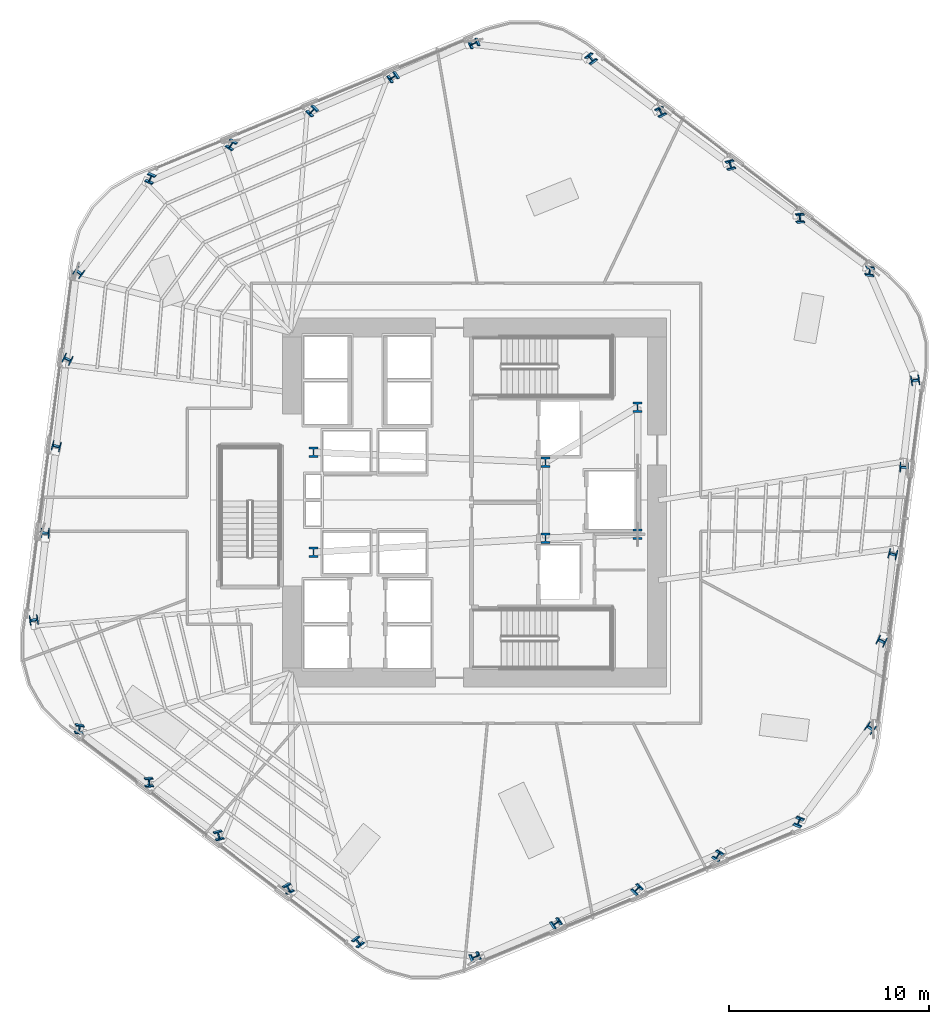
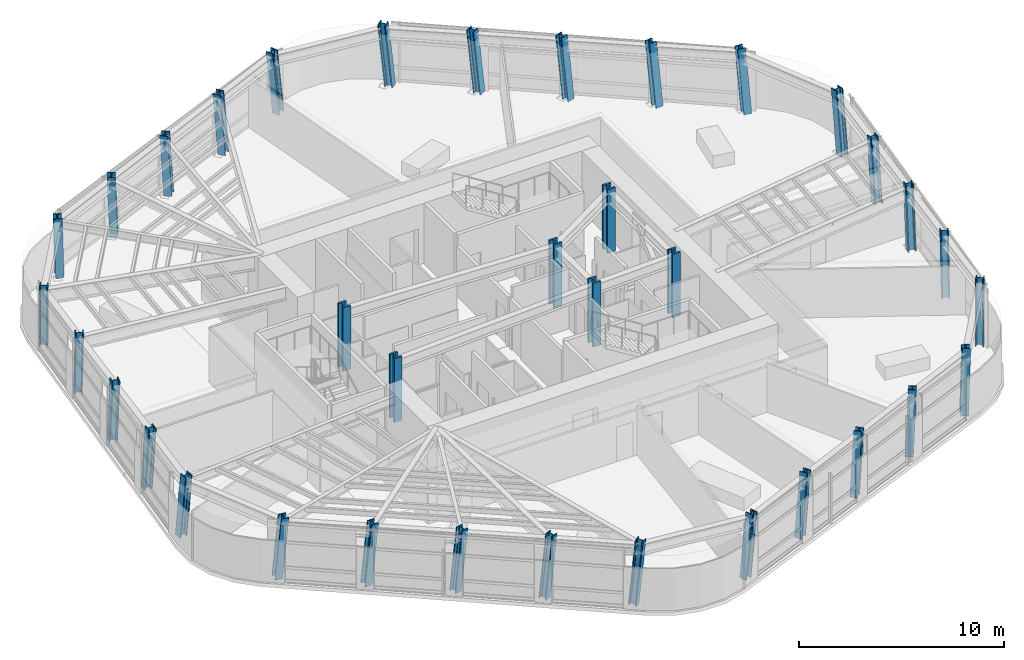
# One storey, part 1 of 18: 36 columns.
"""IFC4 building model written with IfcOpenShell, lengths in metres."""

from ifc_helpers import new_model, si_unit, direction, frame, origin, origin_2d, place, context, subcontext, project, spatial, i_section, extrude, material, material_profile, profile_set, type_object, element, save


model = new_model("IFC4")

# Units and contexts
model_context = context("Model", 3, precision=1e-05, world=origin(), true_north=direction((0.0, 1.0)))
body_context = subcontext(model_context, "Body", "Model", "MODEL_VIEW")
ifc_project = project(units=[si_unit("LENGTHUNIT", "METRE"), si_unit("AREAUNIT", "SQUARE_METRE"), si_unit("VOLUMEUNIT", "CUBIC_METRE"), si_unit("PLANEANGLEUNIT", "RADIAN"), si_unit("MASSUNIT", "GRAM", prefix="KILO")], contexts=[model_context])

# Site, building, storey
site_placement = place(None, origin())
site = spatial("IfcSite", under=ifc_project, at=site_placement, CompositionType="ELEMENT")
building_placement = place(site_placement, origin())
building = spatial("IfcBuilding", under=site, at=building_placement, Name="Valkerne Bourse Tower", CompositionType="ELEMENT")
storey_placement = place(building_placement, frame((0.0, 0.0, 120.0)))
storey = spatial("IfcBuildingStorey", under=building, at=storey_placement, Name="L30", CompositionType="ELEMENT", Elevation=120.0)

# Columns
ifc_material = material(Name="Steel ASTM A913 Grade 65", Category="steel")
ifc_material_profile_1 = material_profile(ifc_material, i_section(OverallWidth=0.408935546875, OverallDepth=0.42431640625, WebThickness=0.03271484375, FlangeThickness=0.052490234375, FilletRadius=0.025390625, at=origin_2d()), Name="W14X283")
ifc_profile_set_1 = profile_set([ifc_material_profile_1], Name="Steel ASTM A913 Grade 65")
column_type_1 = type_object("IfcColumnType", Name="COL-W14X283", PredefinedType="COLUMN", material=ifc_profile_set_1)
column_1_placement = place(storey_placement, frame((66.591796875, 38.3935546875, 0.010009765625), z_axis=(-0.047761154047, 0.081508941228, 0.995527581066), x_axis=(0.990887779848, -0.121794699229, 0.057510511981)))
element("IfcColumn", 1, at=column_1_placement, inside=storey, type_object=column_type_1, Name="L30 Helical Perimeter Tube Column F1-C1", PredefinedType="COLUMN", context=body_context, shape_type="SweptSolid", body=[
    extrude(i_section(OverallWidth=0.408935546875, OverallDepth=0.42431640625, WebThickness=0.03271484375, FlangeThickness=0.052490234375, FilletRadius=0.025390625, at=origin_2d()), origin(), (0.0, 0.0, 1.0), 3.798095703125),
])
column_2_placement = place(storey_placement, frame((63.11474609375, 41.061767578125, 0.010009765625), z_axis=(-0.058717944131, 0.067078659067, 0.996018401705), x_axis=(0.996321847871, 0.066314143635, 0.05426978726)))
element("IfcColumn", 2, at=column_2_placement, inside=storey, type_object=column_type_1, Name="L30 Helical Perimeter Tube Column F1-C2", PredefinedType="COLUMN", context=body_context, shape_type="SweptSolid", body=[
    extrude(i_section(OverallWidth=0.408935546875, OverallDepth=0.42431640625, WebThickness=0.03271484375, FlangeThickness=0.052490234375, FilletRadius=0.025390625, at=origin_2d()), origin(), (0.0, 0.0, 1.0), 3.796142578125),
])
column_3_placement = place(storey_placement, frame((59.637451171875, 43.72998046875, 0.010009765625), z_axis=(-0.069662627464, 0.052616832193, 0.99618200511), x_axis=(0.96207412288, 0.267561131546, 0.053145300541)))
element("IfcColumn", 3, at=column_3_placement, inside=storey, type_object=column_type_1, Name="L30 Helical Perimeter Tube Column F1-C3", PredefinedType="COLUMN", context=body_context, shape_type="SweptSolid", body=[
    extrude(i_section(OverallWidth=0.408935546875, OverallDepth=0.42431640625, WebThickness=0.03271484375, FlangeThickness=0.052490234375, FilletRadius=0.025390625, at=origin_2d()), origin(), (0.0, 0.0, 1.0), 3.79541015625),
])
column_4_placement = place(storey_placement, frame((56.16015625, 46.398193359375, 0.010009765625), z_axis=(-0.08058458684, 0.038073483966, 0.996020348277), x_axis=(0.887139283596, 0.458301340508, 0.054256546056)))
element("IfcColumn", 4, at=column_4_placement, inside=storey, type_object=column_type_1, Name="L30 Helical Perimeter Tube Column F1-C4", PredefinedType="COLUMN", context=body_context, shape_type="SweptSolid", body=[
    extrude(i_section(OverallWidth=0.408935546875, OverallDepth=0.42431640625, WebThickness=0.03271484375, FlangeThickness=0.052490234375, FilletRadius=0.025390625, at=origin_2d()), origin(), (0.0, 0.0, 1.0), 3.796142578125),
])
for number, where, z_axis, x_axis, name in (
    (5, (52.682861328125, 49.06640625, 0.010009765625), (-0.091472621825, 0.023591322705, 0.995528105555), (0.784963721203, 0.616866990857, 0.057507147261), "L30 Helical Perimeter Tube Column F1-C5"),
    (6, (46.828857421875, 49.837158203125, 0.010009765625), (-0.094429876122, -0.0006428174, 0.995531308037), (-0.387253538546, 0.921264767444, -0.036137586392), "L30 Helical Perimeter Tube Column F2-C1"),
):
    element("IfcColumn", number, at=place(storey_placement, frame(where, z_axis=z_axis, x_axis=x_axis)), inside=storey, type_object=column_type_1, Name=name, PredefinedType="COLUMN", context=body_context, shape_type="SweptSolid", body=[
        extrude(i_section(OverallWidth=0.408935546875, OverallDepth=0.42431640625, WebThickness=0.03271484375, FlangeThickness=0.052490234375, FilletRadius=0.025390625, at=origin_2d()), origin(), (0.0, 0.0, 1.0), 3.798095703125),
    ])
column_5_placement = place(storey_placement, frame((42.779296875, 48.159912109375, 0.010009765625), z_axis=(-0.087401923579, -0.017364620579, 0.996021773711), x_axis=(-0.55388753881, 0.831892851607, -0.034100994079)))
element("IfcColumn", 7, at=column_5_placement, inside=storey, type_object=column_type_1, Name="L30 Helical Perimeter Tube Column F2-C2", PredefinedType="COLUMN", context=body_context, shape_type="SweptSolid", body=[
    extrude(i_section(OverallWidth=0.408935546875, OverallDepth=0.42431640625, WebThickness=0.03271484375, FlangeThickness=0.052490234375, FilletRadius=0.025390625, at=origin_2d()), origin(), (0.0, 0.0, 1.0), 3.796142578125),
])
column_6_placement = place(storey_placement, frame((38.72998046875, 46.482421875, 0.010009765625), z_axis=(-0.080340907435, -0.033963169836, 0.996188657678), x_axis=(-0.710874220424, 0.70252662138, -0.033379469569)))
element("IfcColumn", 8, at=column_6_placement, inside=storey, type_object=column_type_1, Name="L30 Helical Perimeter Tube Column F2-C3", PredefinedType="COLUMN", context=body_context, shape_type="SweptSolid", body=[
    extrude(i_section(OverallWidth=0.408935546875, OverallDepth=0.42431640625, WebThickness=0.03271484375, FlangeThickness=0.052490234375, FilletRadius=0.025390625, at=origin_2d()), origin(), (0.0, 0.0, 1.0), 3.79541015625),
])
column_7_placement = place(storey_placement, frame((34.6806640625, 44.80517578125, 0.010009765625), z_axis=(-0.073253203146, -0.050679125618, 0.996024896504), x_axis=(-0.83909655618, 0.542913439341, -0.03408763397)))
element("IfcColumn", 9, at=column_7_placement, inside=storey, type_object=column_type_1, Name="L30 Helical Perimeter Tube Column F2-C4", PredefinedType="COLUMN", context=body_context, shape_type="SweptSolid", body=[
    extrude(i_section(OverallWidth=0.408935546875, OverallDepth=0.42431640625, WebThickness=0.03271484375, FlangeThickness=0.052490234375, FilletRadius=0.025390625, at=origin_2d()), origin(), (0.0, 0.0, 1.0), 3.796142578125),
])
for number, where, z_axis, x_axis, name in (
    (10, (30.63134765625, 43.1279296875, 0.010009765625), (-0.066210035888, -0.067367104476, 0.995528957079), (-0.925960289654, 0.375886859749, -0.036147069757), "L30 Helical Perimeter Tube Column F2-C5"),
    (11, (27.036865234375, 38.443603515625, 0.010009765625), (-0.046668321602, -0.082151673563, 0.995526579399), (-0.601014912655, -0.793729382239, -0.093673595731), "L30 Helical Perimeter Tube Column F3-C1"),
):
    element("IfcColumn", number, at=place(storey_placement, frame(where, z_axis=z_axis, x_axis=x_axis)), inside=storey, type_object=column_type_1, Name=name, PredefinedType="COLUMN", context=body_context, shape_type="SweptSolid", body=[
        extrude(i_section(OverallWidth=0.408935546875, OverallDepth=0.42431640625, WebThickness=0.03271484375, FlangeThickness=0.052490234375, FilletRadius=0.025390625, at=origin_2d()), origin(), (0.0, 0.0, 1.0), 3.798095703125),
    ])
column_8_placement = place(storey_placement, frame((26.46484375, 34.097900390625, 0.010009765625), z_axis=(-0.028748012498, -0.08437895391, 0.996018947568), x_axis=(-0.442017948415, -0.892641730062, -0.088379154955)))
element("IfcColumn", 12, at=column_8_placement, inside=storey, type_object=column_type_1, Name="L30 Helical Perimeter Tube Column F3-C2", PredefinedType="COLUMN", context=body_context, shape_type="SweptSolid", body=[
    extrude(i_section(OverallWidth=0.408935546875, OverallDepth=0.42431640625, WebThickness=0.03271484375, FlangeThickness=0.052490234375, FilletRadius=0.025390625, at=origin_2d()), origin(), (0.0, 0.0, 1.0), 3.796142578125),
])
column_9_placement = place(storey_placement, frame((25.892578125, 29.75244140625, 0.010009765625), z_axis=(-0.010677804001, -0.086580266178, 0.996187654014), x_axis=(-0.250435968886, -0.964262061071, -0.086489901533)))
element("IfcColumn", 13, at=column_9_placement, inside=storey, type_object=column_type_1, Name="L30 Helical Perimeter Tube Column F3-C3", PredefinedType="COLUMN", context=body_context, shape_type="SweptSolid", body=[
    extrude(i_section(OverallWidth=0.408935546875, OverallDepth=0.42431640625, WebThickness=0.03271484375, FlangeThickness=0.052490234375, FilletRadius=0.025390625, at=origin_2d()), origin(), (0.0, 0.0, 1.0), 3.79541015625),
])
column_10_placement = place(storey_placement, frame((25.320556640625, 25.406982421875, 0.010009765625), z_axis=(0.007331722988, -0.088816749525, 0.996020999197), x_axis=(-0.048843050221, -0.994890696867, -0.088356424398)))
element("IfcColumn", 14, at=column_10_placement, inside=storey, type_object=column_type_1, Name="L30 Helical Perimeter Tube Column F3-C4", PredefinedType="COLUMN", context=body_context, shape_type="SweptSolid", body=[
    extrude(i_section(OverallWidth=0.408935546875, OverallDepth=0.42431640625, WebThickness=0.03271484375, FlangeThickness=0.052490234375, FilletRadius=0.025390625, at=origin_2d()), origin(), (0.0, 0.0, 1.0), 3.796142578125),
])
for number, where, z_axis, x_axis, name in (
    (15, (24.74853515625, 21.0615234375, 0.010009765625), (0.025262648468, -0.091022672343, 0.995528337975), (0.138187750278, -0.985967973569, -0.09365522286), "L30 Helical Perimeter Tube Column F3-C5"),
    (16, (27.008056640625, 15.6064453125, 0.010009765625), (0.047761154047, -0.081508941228, 0.995527581066), (0.990887779848, -0.121794699229, -0.057510511981), "L30 Helical Perimeter Tube Column F4-C1"),
):
    element("IfcColumn", number, at=place(storey_placement, frame(where, z_axis=z_axis, x_axis=x_axis)), inside=storey, type_object=column_type_1, Name=name, PredefinedType="COLUMN", context=body_context, shape_type="SweptSolid", body=[
        extrude(i_section(OverallWidth=0.408935546875, OverallDepth=0.42431640625, WebThickness=0.03271484375, FlangeThickness=0.052490234375, FilletRadius=0.025390625, at=origin_2d()), origin(), (0.0, 0.0, 1.0), 3.798095703125),
    ])
column_11_placement = place(storey_placement, frame((30.4853515625, 12.938232421875, 0.010009765625), z_axis=(0.058717944131, -0.067078659067, 0.996018401705), x_axis=(0.996321847871, 0.066314143635, -0.05426978726)))
element("IfcColumn", 17, at=column_11_placement, inside=storey, type_object=column_type_1, Name="L30 Helical Perimeter Tube Column F4-C2", PredefinedType="COLUMN", context=body_context, shape_type="SweptSolid", body=[
    extrude(i_section(OverallWidth=0.408935546875, OverallDepth=0.42431640625, WebThickness=0.03271484375, FlangeThickness=0.052490234375, FilletRadius=0.025390625, at=origin_2d()), origin(), (0.0, 0.0, 1.0), 3.796142578125),
])
column_12_placement = place(storey_placement, frame((33.962646484375, 10.27001953125, 0.010009765625), z_axis=(0.069662627464, -0.052616832193, 0.99618200511), x_axis=(0.96207412288, 0.267561131546, -0.053145300541)))
element("IfcColumn", 18, at=column_12_placement, inside=storey, type_object=column_type_1, Name="L30 Helical Perimeter Tube Column F4-C3", PredefinedType="COLUMN", context=body_context, shape_type="SweptSolid", body=[
    extrude(i_section(OverallWidth=0.408935546875, OverallDepth=0.42431640625, WebThickness=0.03271484375, FlangeThickness=0.052490234375, FilletRadius=0.025390625, at=origin_2d()), origin(), (0.0, 0.0, 1.0), 3.79541015625),
])
column_13_placement = place(storey_placement, frame((37.43994140625, 7.601806640625, 0.010009765625), z_axis=(0.080520690669, -0.038073681211, 0.996025508294), x_axis=(0.887283448157, 0.458026330174, -0.054221430208)))
element("IfcColumn", 19, at=column_13_placement, inside=storey, type_object=column_type_1, Name="L30 Helical Perimeter Tube Column F4-C4", PredefinedType="COLUMN", context=body_context, shape_type="SweptSolid", body=[
    extrude(i_section(OverallWidth=0.408935546875, OverallDepth=0.42431640625, WebThickness=0.03271484375, FlangeThickness=0.052490234375, FilletRadius=0.025390625, at=origin_2d()), origin(), (0.0, 0.0, 1.0), 3.796142578125),
])
for number, where, z_axis, x_axis, name in (
    (20, (40.9169921875, 4.93359375, 0.010009765625), (0.091472621825, -0.023591322705, 0.995528105555), (0.784963721203, 0.616866990857, -0.057507147261), "L30 Helical Perimeter Tube Column F4-C5"),
    (21, (46.771240234375, 4.162841796875, 0.010009765625), (0.094429876122, 0.0006428174, 0.995531308037), (-0.387253538546, 0.921264767444, 0.036137586392), "L30 Helical Perimeter Tube Column F5-C1"),
):
    element("IfcColumn", number, at=place(storey_placement, frame(where, z_axis=z_axis, x_axis=x_axis)), inside=storey, type_object=column_type_1, Name=name, PredefinedType="COLUMN", context=body_context, shape_type="SweptSolid", body=[
        extrude(i_section(OverallWidth=0.408935546875, OverallDepth=0.42431640625, WebThickness=0.03271484375, FlangeThickness=0.052490234375, FilletRadius=0.025390625, at=origin_2d()), origin(), (0.0, 0.0, 1.0), 3.798095703125),
    ])
column_14_placement = place(storey_placement, frame((50.820556640625, 5.840087890625, 0.010009765625), z_axis=(0.087401923579, 0.017364620579, 0.996021773711), x_axis=(-0.55388753881, 0.831892851607, 0.034100994079)))
element("IfcColumn", 22, at=column_14_placement, inside=storey, type_object=column_type_1, Name="L30 Helical Perimeter Tube Column F5-C2", PredefinedType="COLUMN", context=body_context, shape_type="SweptSolid", body=[
    extrude(i_section(OverallWidth=0.408935546875, OverallDepth=0.42431640625, WebThickness=0.03271484375, FlangeThickness=0.052490234375, FilletRadius=0.025390625, at=origin_2d()), origin(), (0.0, 0.0, 1.0), 3.796142578125),
])
column_15_placement = place(storey_placement, frame((54.869873046875, 7.517578125, 0.010009765625), z_axis=(0.080340907435, 0.033963169836, 0.996188657678), x_axis=(-0.710874220424, 0.70252662138, 0.033379469569)))
element("IfcColumn", 23, at=column_15_placement, inside=storey, type_object=column_type_1, Name="L30 Helical Perimeter Tube Column F5-C3", PredefinedType="COLUMN", context=body_context, shape_type="SweptSolid", body=[
    extrude(i_section(OverallWidth=0.408935546875, OverallDepth=0.42431640625, WebThickness=0.03271484375, FlangeThickness=0.052490234375, FilletRadius=0.025390625, at=origin_2d()), origin(), (0.0, 0.0, 1.0), 3.79541015625),
])
column_16_placement = place(storey_placement, frame((58.919189453125, 9.19482421875, 0.010009765625), z_axis=(0.073317171196, 0.050678886756, 0.996020202027), x_axis=(-0.838872117759, 0.543258901211, 0.034107716155)))
element("IfcColumn", 24, at=column_16_placement, inside=storey, type_object=column_type_1, Name="L30 Helical Perimeter Tube Column F5-C4", PredefinedType="COLUMN", context=body_context, shape_type="SweptSolid", body=[
    extrude(i_section(OverallWidth=0.408935546875, OverallDepth=0.42431640625, WebThickness=0.03271484375, FlangeThickness=0.052490234375, FilletRadius=0.025390625, at=origin_2d()), origin(), (0.0, 0.0, 1.0), 3.796142578125),
])
for number, where, z_axis, x_axis, name in (
    (25, (62.968505859375, 10.8720703125, 0.010009765625), (0.066210035888, 0.067367104476, 0.995528957079), (-0.925960289654, 0.375886859749, 0.036147069757), "L30 Helical Perimeter Tube Column F5-C5"),
    (26, (66.56298828125, 15.556396484375, 0.010009765625), (0.046732462747, 0.082151426947, 0.995523590869), (-0.601482729653, -0.793371246299, 0.093704810307), "L30 Helical Perimeter Tube Column F6-C1"),
):
    element("IfcColumn", number, at=place(storey_placement, frame(where, z_axis=z_axis, x_axis=x_axis)), inside=storey, type_object=column_type_1, Name=name, PredefinedType="COLUMN", context=body_context, shape_type="SweptSolid", body=[
        extrude(i_section(OverallWidth=0.408935546875, OverallDepth=0.42431640625, WebThickness=0.03271484375, FlangeThickness=0.052490234375, FilletRadius=0.025390625, at=origin_2d()), origin(), (0.0, 0.0, 1.0), 3.798095703125),
    ])
column_17_placement = place(storey_placement, frame((67.13525390625, 19.902099609375, 0.010009765625), z_axis=(0.028683752245, 0.084379109743, 0.99602078703), x_axis=(-0.441408684763, -0.892945182998, 0.088358775328)))
element("IfcColumn", 27, at=column_17_placement, inside=storey, type_object=column_type_1, Name="L30 Helical Perimeter Tube Column F6-C2", PredefinedType="COLUMN", context=body_context, shape_type="SweptSolid", body=[
    extrude(i_section(OverallWidth=0.408935546875, OverallDepth=0.42431640625, WebThickness=0.03271484375, FlangeThickness=0.052490234375, FilletRadius=0.025390625, at=origin_2d()), origin(), (0.0, 0.0, 1.0), 3.796142578125),
])
column_18_placement = place(storey_placement, frame((67.707275390625, 24.24755859375, 0.010009765625), z_axis=(0.010742120721, 0.086580206532, 0.996186967732), x_axis=(-0.251141412045, -0.964077872401, 0.086497671083)))
element("IfcColumn", 28, at=column_18_placement, inside=storey, type_object=column_type_1, Name="L30 Helical Perimeter Tube Column F6-C3", PredefinedType="COLUMN", context=body_context, shape_type="SweptSolid", body=[
    extrude(i_section(OverallWidth=0.408935546875, OverallDepth=0.42431640625, WebThickness=0.03271484375, FlangeThickness=0.052490234375, FilletRadius=0.025390625, at=origin_2d()), origin(), (0.0, 0.0, 1.0), 3.79541015625),
])
column_19_placement = place(storey_placement, frame((68.279296875, 28.593017578125, 0.010009765625), z_axis=(-0.00726741304, 0.088816791221, 0.996021466789), x_axis=(-0.04955857943, -0.994855770987, 0.088351242995)))
element("IfcColumn", 29, at=column_19_placement, inside=storey, type_object=column_type_1, Name="L30 Helical Perimeter Tube Column F6-C4", PredefinedType="COLUMN", context=body_context, shape_type="SweptSolid", body=[
    extrude(i_section(OverallWidth=0.408935546875, OverallDepth=0.42431640625, WebThickness=0.03271484375, FlangeThickness=0.052490234375, FilletRadius=0.025390625, at=origin_2d()), origin(), (0.0, 0.0, 1.0), 3.796142578125),
])
column_20_placement = place(storey_placement, frame((68.8515625, 32.9384765625, 0.010009765625), z_axis=(-0.025262648468, 0.091022672343, 0.995528337975), x_axis=(0.138187750278, -0.985967973569, 0.09365522286)))
element("IfcColumn", 30, at=column_20_placement, inside=storey, type_object=column_type_1, Name="L30 Helical Perimeter Tube Column F6-C5", PredefinedType="COLUMN", context=body_context, shape_type="SweptSolid", body=[
    extrude(i_section(OverallWidth=0.408935546875, OverallDepth=0.42431640625, WebThickness=0.03271484375, FlangeThickness=0.052490234375, FilletRadius=0.025390625, at=origin_2d()), origin(), (0.0, 0.0, 1.0), 3.798095703125),
])
ifc_material_profile_2 = material_profile(ifc_material, i_section(OverallWidth=0.44189453125, OverallDepth=0.531005859375, WebThickness=0.06591796875, FlangeThickness=0.105712890625, FilletRadius=0.030517578125, at=origin_2d()), Name="W14X605")
ifc_profile_set_2 = profile_set([ifc_material_profile_2], Name="Steel ASTM A913 Grade 65")
column_type_2 = type_object("IfcColumnType", Name="COL-W14X605", PredefinedType="COLUMN", material=ifc_profile_set_2)
for number, where, z_axis, x_axis, name in (
    (31, (38.75, 24.39990234375, 0.0048828125), (0.0, 0.0, 1.0), (1.0, 0.0, 0.0), "L30 Core Frame Column CC-SW"),
    (32, (38.75, 29.39990234375, 0.0048828125), (0.0, 0.0, 1.0), (1.0, 0.0, 0.0), "L30 Core Frame Column CC-NW"),
    (33, (50.35009765625, 25.10009765625, 0.0048828125), (0.0, 0.0, 1.0), (1.0, 0.0, 0.0), "L30 Core Frame Column CC-CE1"),
    (34, (50.35009765625, 28.89990234375, 0.0048828125), (0.0, 0.0, 1.0), (1.0, 0.0, 0.0), "L30 Core Frame Column CC-CE2"),
    (35, (54.949951171875, 25.300048828125, 0.0048828125), (0.0, 0.0, 1.0), (1.0, 0.0, 0.0), "L30 Core Frame Column CC-SE"),
    (36, (54.949951171875, 31.64990234375, 0.0048828125), (0.0, 0.0, 1.0), (1.0, 0.0, 0.0), "L30 Core Frame Column CC-NE"),
):
    element("IfcColumn", number, at=place(storey_placement, frame(where, z_axis=z_axis, x_axis=x_axis)), inside=storey, type_object=column_type_2, Name=name, PredefinedType="COLUMN", context=body_context, shape_type="SweptSolid", body=[
        extrude(i_section(OverallWidth=0.44189453125, OverallDepth=0.531005859375, WebThickness=0.06591796875, FlangeThickness=0.105712890625, FilletRadius=0.030517578125, at=origin_2d()), origin(), (0.0, 0.0, 1.0), 3.795166015625),
    ])

save(model, "model.ifc")
